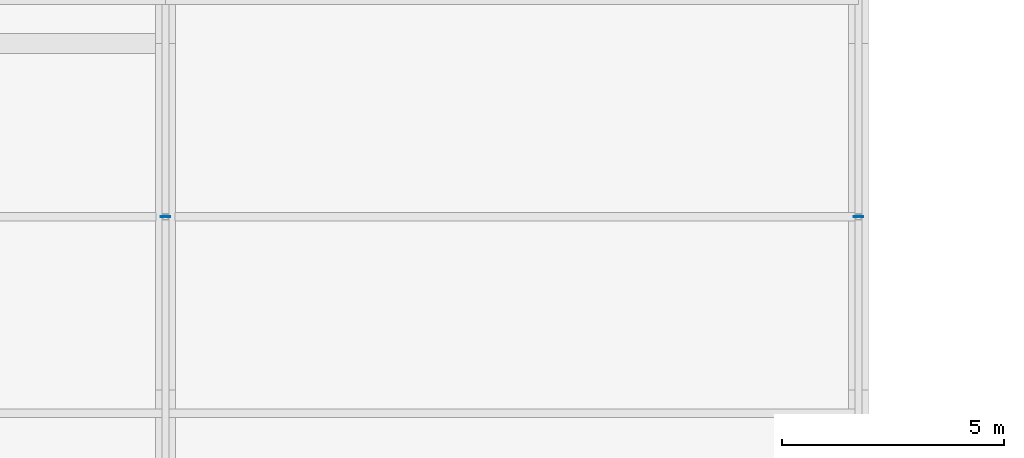
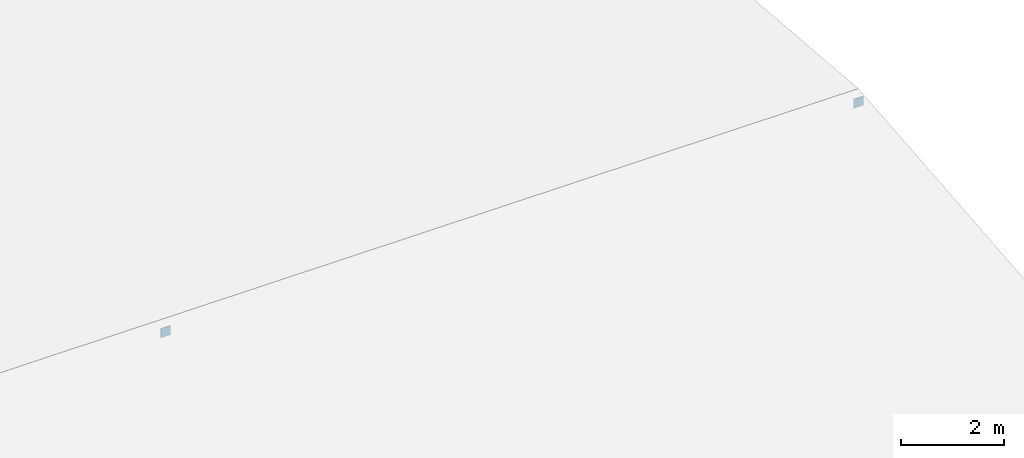
# One storey, part 28 of 45: 2 plates.
"""IFC4 building model written with IfcOpenShell, lengths in metres."""

import ifcopenshell
import ifcopenshell.guid

model = None  # the IFC model being written
_history = None  # IfcOwnerHistory: only IFC2X3 demands one
_inside = {}  # id of a spatial element -> (the spatial element, [elements in it])
_under = {}  # id of a project, library or spatial element -> (it, [spatial elements below it])
_declared = {}  # id of a project -> (the project, [libraries it declares])
_typed = {}  # id of a type object -> (the type object, [elements of that type])
_made_of = {}  # id of a material, layer set ... -> (it, [elements and type objects made of it])


def new_model(schema):
    """Start an empty IFC model of exactly this schema.

    Asked for "IFC4X3", IfcOpenShell would pick the latest addendum, in which some entities
    have other attributes; the version numbers below select the first issue.
    IFC2X3 requires an IfcOwnerHistory on every rooted entity: one is made here for all.
    """
    global model, _history
    if schema == "IFC4X3":
        model = ifcopenshell.file(schema_version=(4, 3, 0, 0))
    else:
        model = ifcopenshell.file(schema=schema)
    _inside.clear()
    _under.clear()
    _declared.clear()
    _typed.clear()
    _made_of.clear()
    _history = None
    if model.schema == "IFC2X3":
        org = make("IfcOrganization", Name="unknown")
        user = make(
            "IfcPersonAndOrganization",
            ThePerson=make("IfcPerson", FamilyName="unknown"),
            TheOrganization=org,
        )
        app = make(
            "IfcApplication",
            ApplicationDeveloper=org,
            Version="unknown",
            ApplicationFullName="unknown",
            ApplicationIdentifier="unknown",
        )
        _history = make(
            "IfcOwnerHistory",
            OwningUser=user,
            OwningApplication=app,
            ChangeAction="ADDED",
            CreationDate=0,
        )
    return model


def make(cls, **values):
    """One entity of the class cls with the attributes given. An attribute that is None is left unset."""
    return model.create_entity(
        cls, **{name: value for name, value in values.items() if value is not None}
    )


def rooted(cls, **values):
    """An entity with a GlobalId (a new one), such as an element, a storey or a relation."""
    return make(cls, GlobalId=ifcopenshell.guid.new(), OwnerHistory=_history, **values)


def si_unit(unit_type, name, prefix=None):
    """IfcSIUnit, for example si_unit("LENGTHUNIT", "METRE", prefix="MILLI")."""
    return make("IfcSIUnit", UnitType=unit_type, Prefix=prefix, Name=name)


def assignment(units):
    """IfcUnitAssignment: the units of a project."""
    return None if units is None else make("IfcUnitAssignment", Units=units)


def point(xyz):
    """IfcCartesianPoint."""
    return None if xyz is None else make("IfcCartesianPoint", Coordinates=xyz)


def direction(xyz):
    """IfcDirection."""
    return None if xyz is None else make("IfcDirection", DirectionRatios=xyz)


def frame(location, z_axis=None, x_axis=None):
    """IfcAxis2Placement3D, a coordinate frame: its origin and axes. An axis left out is left unset."""
    return make(
        "IfcAxis2Placement3D",
        Location=point(location),
        Axis=direction(z_axis),
        RefDirection=direction(x_axis),
    )


def frame_2d(location, x_axis=None):
    """IfcAxis2Placement2D, a coordinate frame in the plane: its origin and x axis."""
    return make(
        "IfcAxis2Placement2D", Location=point(location), RefDirection=direction(x_axis)
    )


def origin():
    """The frame at (0, 0, 0) with its axes left unset."""
    return frame((0.0, 0.0, 0.0))


def origin_2d():
    """The frame at (0, 0) in the plane with its x axis left unset."""
    return frame_2d((0.0, 0.0))


def place(relative_to, where):
    """IfcLocalPlacement: puts the frame where relative to a parent placement (None: the world)."""
    return make(
        "IfcLocalPlacement", PlacementRelTo=relative_to, RelativePlacement=where
    )


def context(
    kind, dimensions, precision=None, world=None, true_north=None, identifier=None
):
    """IfcGeometricRepresentationContext, for example the 3D "Model" context."""
    return make(
        "IfcGeometricRepresentationContext",
        ContextIdentifier=identifier,
        ContextType=kind,
        CoordinateSpaceDimension=dimensions,
        Precision=precision,
        WorldCoordinateSystem=world,
        TrueNorth=true_north,
    )


def subcontext(parent, identifier, kind, view, scale=None):
    """IfcGeometricRepresentationSubContext, for example "Body" below "Model"."""
    return make(
        "IfcGeometricRepresentationSubContext",
        ContextIdentifier=identifier,
        ContextType=kind,
        ParentContext=parent,
        TargetScale=scale,
        TargetView=view,
    )


def project(units=None, contexts=None):
    """IfcProject with its units and contexts."""
    return rooted(
        "IfcProject",
        Name="project",
        RepresentationContexts=contexts,
        UnitsInContext=assignment(units),
    )


def spatial(cls, under=None, at=None, **own):
    """A site, building, storey or space (cls), placed at a placement, below another one or the project."""
    s = rooted(cls, ObjectPlacement=at, **own)
    if under is not None:
        _under.setdefault(under.id(), (under, []))[1].append(s)
    return s


def profile(cls, at=None, kind="AREA", **sizes):
    """A parametric profile (cls). Its sizes go by their IFC names, for example OverallWidth=200.0."""
    return make(cls, ProfileType=kind, Position=at, **sizes)


def rectangle(**sizes):
    """IfcRectangleProfileDef."""
    return profile("IfcRectangleProfileDef", **sizes)


def extrude(swept, where, along, depth):
    """IfcExtrudedAreaSolid: the profile swept, set in the frame where, extruded along a direction by depth."""
    return make(
        "IfcExtrudedAreaSolid",
        SweptArea=swept,
        Position=where,
        ExtrudedDirection=direction(along),
        Depth=depth,
    )


def shape(context_of_items, identifier, shape_type, items):
    """IfcShapeRepresentation: the items that make up one representation, for example the "Body"."""
    return make(
        "IfcShapeRepresentation",
        ContextOfItems=context_of_items,
        RepresentationIdentifier=identifier,
        RepresentationType=shape_type,
        Items=items,
    )


def material(Name=None, Category=None):
    """IfcMaterial."""
    return make("IfcMaterial", Name=Name, Category=Category)


def layer(
    of_material, thickness, ventilated=None, Name=None, Category=None, Priority=None
):
    """IfcMaterialLayer: one layer of a wall or slab, of a material (None: an air gap)."""
    return make(
        "IfcMaterialLayer",
        Material=of_material,
        LayerThickness=thickness,
        IsVentilated=ventilated,
        Name=Name,
        Category=Category,
        Priority=Priority,
    )


def layer_set(layers, Name=None):
    """IfcMaterialLayerSet."""
    return make("IfcMaterialLayerSet", MaterialLayers=layers, LayerSetName=Name)


def made_of(thing, what):
    """Note that an element or type object is made of a material, layer set ...; save() writes the relation."""
    if what is not None:
        _made_of.setdefault(what.id(), (what, []))[1].append(thing)
    return thing


def type_object(cls, material=None, **own):
    """A type object (cls), such as IfcWallType, which elements share."""
    return made_of(rooted(cls, **own), material)


def element(
    cls,
    number,
    at=None,
    inside=None,
    cuts=None,
    type_object=None,
    material=None,
    context=None,
    identifier="Body",
    shape_type=None,
    held_by="IfcProductDefinitionShape",
    body=None,
    shapes=None,
    **own,
):
    """One element of the class cls, such as IfcWall. Its Tag is "e" and its number.

    at: its placement. inside: the storey or other place that contains it. cuts: it is an
    opening in that element (IfcRelVoidsElement). A single representation is given by context,
    identifier, shape_type and body (its items); several are given by shapes. held_by: the class
    of the entity that holds the representations. save() writes the other relations.
    """
    e = rooted(cls, Tag="e%d" % number, ObjectPlacement=at, **own)
    if body is not None:
        shapes = [shape(context, identifier, shape_type, body)]
    if shapes is not None:
        e.Representation = make(held_by, Representations=shapes)
    if inside is not None:
        _inside.setdefault(inside.id(), (inside, []))[1].append(e)
    if cuts is not None:
        rooted(
            "IfcRelVoidsElement", RelatingBuildingElement=cuts, RelatedOpeningElement=e
        )
    if type_object is not None:
        _typed.setdefault(type_object.id(), (type_object, []))[1].append(e)
    return made_of(e, material)


def aggregate(whole, parts):
    """IfcRelAggregates: a whole, such as a stair, and the parts it consists of."""
    return rooted("IfcRelAggregates", RelatingObject=whole, RelatedObjects=parts)


def save(model, path):
    """Write the relations noted so far, then the file.

    IfcRelAggregates (storeys below a building ...), IfcRelContainedInSpatialStructure (elements
    in a storey), IfcRelDefinesByType, IfcRelAssociatesMaterial and IfcRelDeclares: one each for
    every whole, place, type object, material and project.
    """
    for whole, parts in _under.values():
        aggregate(whole, parts)
    for where, things in _inside.values():
        rooted(
            "IfcRelContainedInSpatialStructure",
            RelatedElements=things,
            RelatingStructure=where,
        )
    for kind, things in _typed.values():
        rooted("IfcRelDefinesByType", RelatedObjects=things, RelatingType=kind)
    for what, things in _made_of.values():
        rooted("IfcRelAssociatesMaterial", RelatedObjects=things, RelatingMaterial=what)
    for by, libraries in _declared.values():
        rooted("IfcRelDeclares", RelatingContext=by, RelatedDefinitions=libraries)
    model.write(path)


model = new_model("IFC4")

# Units and contexts
model_context = context("Model", 3, precision=1e-05, world=origin(), true_north=direction((0.0, 1.0)))
body_context = subcontext(model_context, "Body", "Model", "MODEL_VIEW")
ifc_project = project(units=[si_unit("LENGTHUNIT", "METRE"), si_unit("AREAUNIT", "SQUARE_METRE"), si_unit("VOLUMEUNIT", "CUBIC_METRE"), si_unit("PLANEANGLEUNIT", "RADIAN"), si_unit("MASSUNIT", "GRAM", prefix="KILO")], contexts=[model_context])

# Site, building, storey
site_placement = place(None, origin())
site = spatial("IfcSite", under=ifc_project, at=site_placement, CompositionType="ELEMENT")
building_placement = place(site_placement, origin())
building = spatial("IfcBuilding", under=site, at=building_placement, Name="Celorna Specialist Clinic", CompositionType="ELEMENT")
storey_placement = place(building_placement, frame((0.0, 0.0, 18.60009765625)))
storey = spatial("IfcBuildingStorey", under=building, at=storey_placement, Name="L04", CompositionType="ELEMENT", Elevation=18.60009765625)

# Plates
ifc_material = material(Name="Steel S355", Category="steel")
ifc_layer = layer(ifc_material, 0.01611328125, Name="Steel S355")
ifc_layer_set = layer_set([ifc_layer], Name="Steel S355")
plate_type = type_object("IfcPlateType", Name="EP-04", PredefinedType="SHEET", material=ifc_layer_set)
for number, where, z_axis, x_axis, name in (
    (1, (70.199951171875, 23.39990234375, 1.35791015625), (0.0, 0.0, 1.0), (1.0, 0.0, 0.0), "Rafter chord cap plate ROOF-V6-SOUTH"),
    (2, (85.800048828125, 23.39990234375, 1.35791015625), (0.0, 0.0, 1.0), (1.0, 0.0, 0.0), "Rafter chord cap plate ROOF-V6-SOUTH"),
):
    element("IfcPlate", number, at=place(storey_placement, frame(where, z_axis=z_axis, x_axis=x_axis)), inside=storey, type_object=plate_type, Name=name, PredefinedType="SHEET", context=body_context, shape_type="SweptSolid", body=[
        extrude(rectangle(XDim=0.219970703125, YDim=0.013916015625, at=origin_2d()), origin(), (0.0, 0.0, 1.0), 0.219970703125),
    ])

save(model, "model.ifc")
